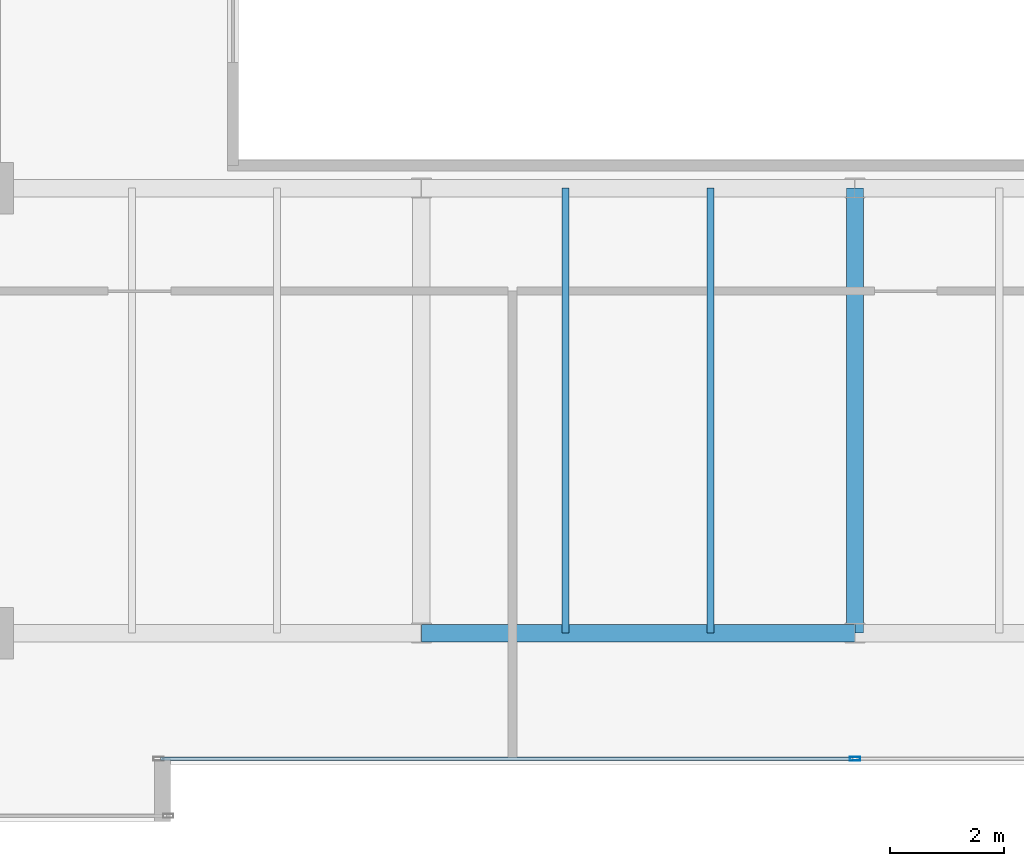
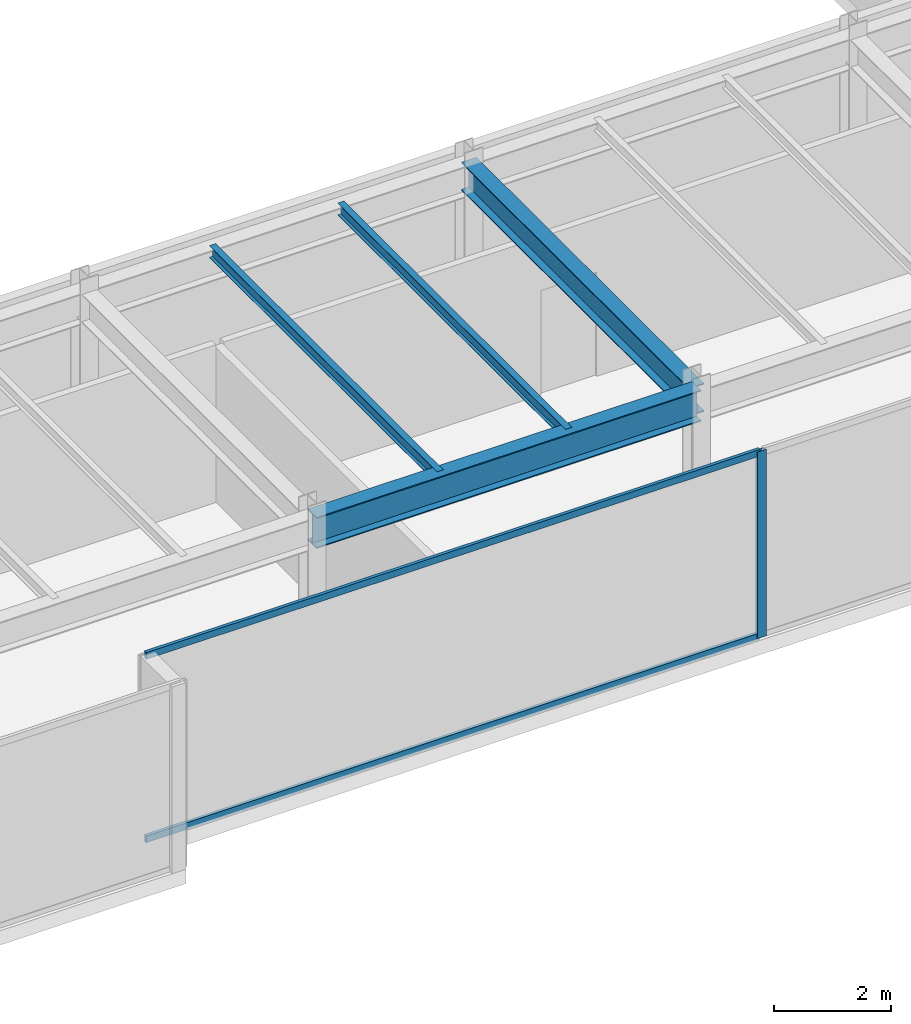
# One storey, part 8 of 31: 4 beams, 3 members, 1 element without a shape of its own.
"""IFC4 building model written with IfcOpenShell, lengths in metres."""

from ifc_helpers import new_model, si_unit, direction, frame, origin, origin_2d, place, context, subcontext, project, spatial, hollow_rectangle, i_section, extrude, source, transform, mapped, material, layer, layer_set, material_profile, profile_set, type_object, type_shapes, element, aggregate, save


model = new_model("IFC4")

# Units and contexts
model_context = context("Model", 3, precision=1e-05, world=origin(), true_north=direction((0.0, 1.0)))
body_context = subcontext(model_context, "Body", "Model", "MODEL_VIEW")
ifc_project = project(units=[si_unit("LENGTHUNIT", "METRE"), si_unit("AREAUNIT", "SQUARE_METRE"), si_unit("VOLUMEUNIT", "CUBIC_METRE"), si_unit("PLANEANGLEUNIT", "RADIAN"), si_unit("MASSUNIT", "GRAM", prefix="KILO")], contexts=[model_context])

# Site, building, storey
site_placement = place(None, origin())
site = spatial("IfcSite", under=ifc_project, at=site_placement, CompositionType="ELEMENT")
building_placement = place(site_placement, origin())
building = spatial("IfcBuilding", under=site, at=building_placement, Name="Haelvirn Gate Laboratories", CompositionType="ELEMENT")
storey_placement = place(building_placement, frame((0.0, 0.0, 318.60009765625)))
storey = spatial("IfcBuildingStorey", under=building, at=storey_placement, Name="L76", CompositionType="ELEMENT", Elevation=318.60009765625)

# Beams
ifc_material_1 = material(Name="Steel SM355", Category="steel")
ifc_material_profile_1 = material_profile(ifc_material_1, i_section(OverallWidth=0.300048828125, OverallDepth=0.587890625, WebThickness=0.011962890625, FlangeThickness=0.02001953125, at=origin_2d()), Name="H-588x300x12x20")
ifc_profile_set_1 = profile_set([ifc_material_profile_1], Name="Steel SM355")
beam_type_1 = type_object("IfcBeamType", Name="BM-G-588", PredefinedType="BEAM", material=ifc_profile_set_1)
shared_shape_1 = source(origin(), body_context, "Body", "SweptSolid", [
    extrude(i_section(OverallWidth=0.300048828125, OverallDepth=0.587890625, WebThickness=0.011962890625, FlangeThickness=0.02001953125, at=origin_2d()), origin(), (0.0, 0.0, 1.0), 7.800048828125),
])
type_shapes(beam_type_1, [shared_shape_1])
beam_1_placement = place(storey_placement, frame((37.39990234375, 7.0, 3.60595703125), z_axis=(0.0, 1.0, 0.0), x_axis=(-1.0, 0.0, 0.0)))
element("IfcBeam", 1, at=beam_1_placement, inside=storey, type_object=beam_type_1, Name="L76 Frame Girder X37.4 (7.0-14.8)", PredefinedType="BEAM", context=body_context, shape_type="MappedRepresentation", body=[
    mapped(shared_shape_1, transform((0.0, 0.0, 0.0), scale=1.0)),
])
ifc_material_profile_2 = material_profile(ifc_material_1, i_section(OverallWidth=0.300048828125, OverallDepth=0.64990234375, WebThickness=0.012939453125, FlangeThickness=0.02197265625, at=origin_2d()), Name="H-650x300x13x22")
ifc_profile_set_2 = profile_set([ifc_material_profile_2], Name="Steel SM355")
beam_type_2 = type_object("IfcBeamType", Name="BM-G-650", PredefinedType="BEAM", material=ifc_profile_set_2)
shared_shape_2 = source(origin(), body_context, "Body", "SweptSolid", [
    extrude(i_section(OverallWidth=0.300048828125, OverallDepth=0.64990234375, WebThickness=0.012939453125, FlangeThickness=0.02197265625, at=origin_2d()), origin(), (0.0, 0.0, 1.0), 7.599853515625),
])
type_shapes(beam_type_2, [shared_shape_2])
beam_2_placement = place(storey_placement, frame((29.800048828125, 7.0, 3.574951171875), z_axis=(1.0, 0.0, 0.0), x_axis=(0.0, 1.0, 0.0)))
element("IfcBeam", 2, at=beam_2_placement, inside=storey, type_object=beam_type_2, Name="L76 Primary Girder Y7.0 (29.8-37.4)", PredefinedType="BEAM", context=body_context, shape_type="MappedRepresentation", body=[
    mapped(shared_shape_2, transform((0.0, 0.0, 0.0), scale=1.0)),
])
ifc_material_profile_3 = material_profile(ifc_material_1, i_section(OverallWidth=0.125, OverallDepth=0.25, WebThickness=0.006103515625, FlangeThickness=0.009033203125, at=origin_2d()), Name="H-250x125x6x9")
ifc_profile_set_3 = profile_set([ifc_material_profile_3], Name="Steel SM355")
beam_type_3 = type_object("IfcBeamType", Name="BM-J-250", PredefinedType="JOIST", material=ifc_profile_set_3)
shared_shape_3 = source(origin(), body_context, "Body", "SweptSolid", [
    extrude(i_section(OverallWidth=0.125, OverallDepth=0.25, WebThickness=0.006103515625, FlangeThickness=0.009033203125, at=origin_2d()), origin(), (0.0, 0.0, 1.0), 7.800048828125),
])
type_shapes(beam_type_3, [shared_shape_3])
for number, where, z_axis, x_axis, name in (
    (3, (32.330078125, 7.0, 3.77490234375), (0.0, 1.0, 0.0), (-1.0, 0.0, 0.0), "L76 Composite Lab Joist South X32.33"),
    (4, (34.8701171875, 7.0, 3.77490234375), (0.0, 1.0, 0.0), (-1.0, 0.0, 0.0), "L76 Composite Lab Joist South X34.87"),
):
    element("IfcBeam", number, at=place(storey_placement, frame(where, z_axis=z_axis, x_axis=x_axis)), inside=storey, type_object=beam_type_3, Name=name, PredefinedType="JOIST", context=body_context, shape_type="MappedRepresentation", body=[
        mapped(shared_shape_3, transform((0.0, 0.0, 0.0), scale=1.0)),
    ])

# Curtain wall, members
ifc_material_2 = material(Name="Anodised bronze unitised aluminium & triple low-E glass", Category="aluminium")
ifc_layer = layer(ifc_material_2, 0.176025390625, Name="CW-SYS-4")
ifc_layer_set = layer_set([ifc_layer], Name="Anodised bronze unitised aluminium & triple low-E glass")
curtain_wall_type = type_object("IfcCurtainWallType", Name="CW-SYS-4", PredefinedType="NOTDEFINED", material=ifc_layer_set)
curtain_wall_placement = place(storey_placement, origin())
curtain_wall = element("IfcCurtainWall", 5, at=curtain_wall_placement, inside=storey, type_object=curtain_wall_type, Name="L76 Unitised Curtain Wall CW-L76-P0-E02-1", PredefinedType="NOTDEFINED")
ifc_material_3 = material(Name="Extruded aluminium 6063-T6 (anodised bronze)", Category="aluminium")
ifc_material_profile_4 = material_profile(ifc_material_3, hollow_rectangle(XDim=0.06494140625, YDim=0.139892578125, WallThickness=0.00390625, at=origin_2d()), Name="CWT-140x65x4")
ifc_profile_set_4 = profile_set([ifc_material_profile_4], Name="Extruded aluminium 6063-T6 (anodised bronze)")
member_type_1 = type_object("IfcMemberType", Name="CWT-T140", PredefinedType="USERDEFINED", material=ifc_profile_set_4)
shared_shape_4 = source(origin(), body_context, "Body", "SweptSolid", [
    extrude(hollow_rectangle(XDim=0.06494140625, YDim=0.139892578125, WallThickness=0.00390625, at=origin_2d()), origin(), (0.0, 0.0, 1.0), 12.135009765625),
])
type_shapes(member_type_1, [shared_shape_4])
member_1_placement = place(storey_placement, frame((25.22998046875, 4.800048828125, 0.032470703125), z_axis=(1.0, 0.0, 0.0), x_axis=(0.0, 1.0, 0.0)))
member_1 = element("IfcMember", 6, at=member_1_placement, type_object=member_type_1, Name="CW4 transom 1.1", ObjectType="TRANSOM", PredefinedType="USERDEFINED", context=body_context, shape_type="MappedRepresentation", body=[
    mapped(shared_shape_4, transform((0.0, 0.0, 0.0), scale=1.0)),
])
member_2_placement = place(storey_placement, frame((25.22998046875, 4.800048828125, 3.867431640625), z_axis=(1.0, 0.0, 0.0), x_axis=(0.0, 1.0, 0.0)))
member_2 = element("IfcMember", 7, at=member_2_placement, type_object=member_type_1, Name="CW4 transom 1.2", ObjectType="TRANSOM", PredefinedType="USERDEFINED", context=body_context, shape_type="MappedRepresentation", body=[
    mapped(shared_shape_4, transform((0.0, 0.0, 0.0), scale=1.0)),
])
ifc_material_profile_5 = material_profile(ifc_material_3, hollow_rectangle(XDim=0.070068359375, YDim=0.179931640625, WallThickness=0.0048828125, at=origin_2d()), Name="CWM-180x70x5")
ifc_profile_set_5 = profile_set([ifc_material_profile_5], Name="Extruded aluminium 6063-T6 (anodised bronze)")
member_type_2 = type_object("IfcMemberType", Name="CWM-T180", PredefinedType="MULLION", material=ifc_profile_set_5)
shared_shape_5 = source(origin(), body_context, "Body", "SweptSolid", [
    extrude(hollow_rectangle(XDim=0.070068359375, YDim=0.179931640625, WallThickness=0.0048828125, at=origin_2d()), origin(), (0.0, 0.0, 1.0), 3.89990234375),
])
type_shapes(member_type_2, [shared_shape_5])
member_3_placement = place(storey_placement, frame((37.39990234375, 4.800048828125, 0.0), z_axis=(0.0, 0.0, 1.0), x_axis=(0.0, 1.0, 0.0)))
member_3 = element("IfcMember", 8, at=member_3_placement, type_object=member_type_2, Name="CW4 mullion 2", PredefinedType="MULLION", context=body_context, shape_type="MappedRepresentation", body=[
    mapped(shared_shape_5, transform((0.0, 0.0, 0.0), scale=1.0)),
])
aggregate(curtain_wall, [member_3, member_1, member_2])

save(model, "model.ifc")
